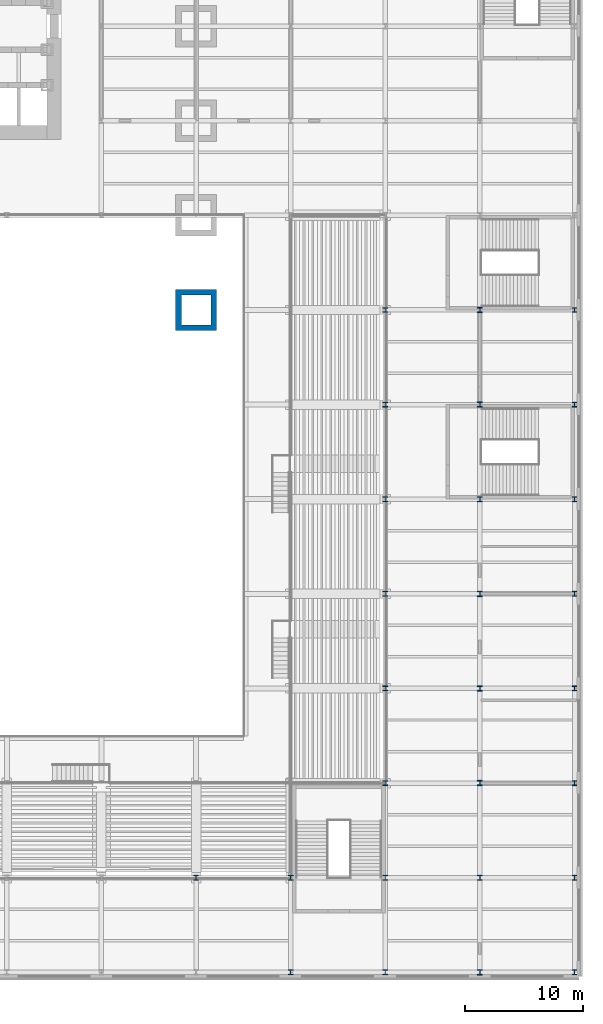
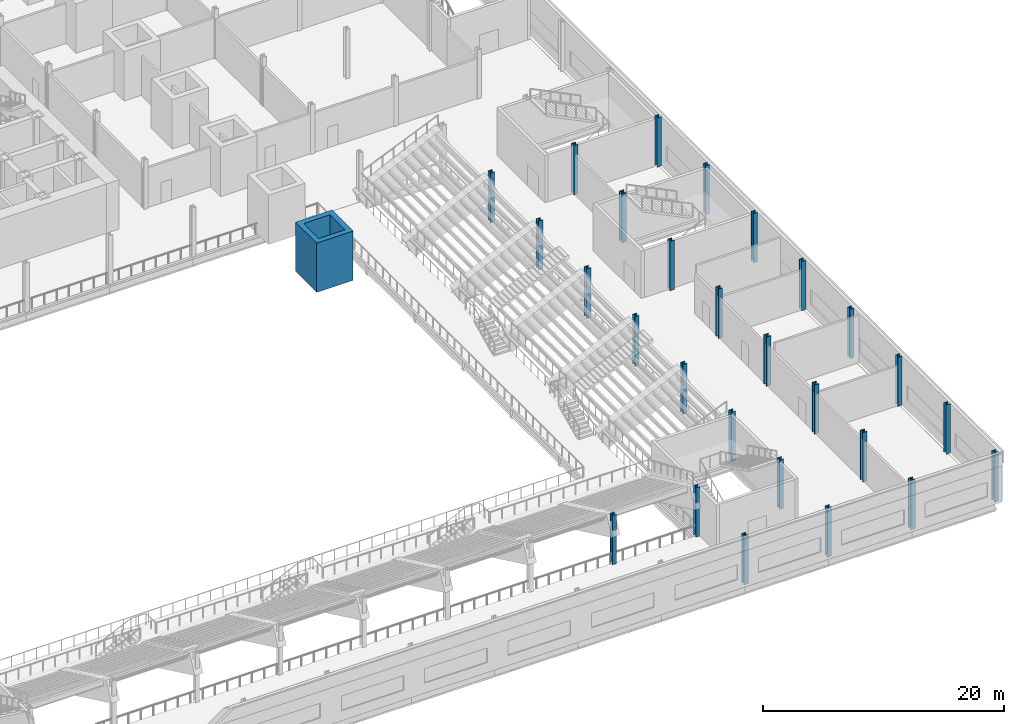
# One storey, part 3 of 27: 28 columns.
"""IFC4 building model written with IfcOpenShell, lengths in metres."""

from ifc_helpers import new_model, si_unit, direction, frame, origin, origin_2d, place, context, subcontext, project, spatial, hollow_rectangle, i_section, extrude, material, material_profile, profile_set, type_object, element, save


model = new_model("IFC4")

# Units and contexts
model_context = context("Model", 3, precision=1e-05, world=origin(), true_north=direction((0.0, 1.0)))
body_context = subcontext(model_context, "Body", "Model", "MODEL_VIEW")
ifc_project = project(units=[si_unit("LENGTHUNIT", "METRE"), si_unit("AREAUNIT", "SQUARE_METRE"), si_unit("VOLUMEUNIT", "CUBIC_METRE"), si_unit("PLANEANGLEUNIT", "RADIAN"), si_unit("MASSUNIT", "GRAM", prefix="KILO")], contexts=[model_context])

# Site, building, storey
site_placement = place(None, origin())
site = spatial("IfcSite", under=ifc_project, at=site_placement, CompositionType="ELEMENT")
building_placement = place(site_placement, origin())
building = spatial("IfcBuilding", under=site, at=building_placement, Name="Daluyong Arena Tower", CompositionType="ELEMENT")
storey_placement = place(building_placement, frame((0.0, 0.0, 14.89990234375)))
storey = spatial("IfcBuildingStorey", under=building, at=storey_placement, Name="L03", CompositionType="ELEMENT", Elevation=14.89990234375)

# Columns
ifc_material_1 = material(Name="Steel ASTM A913 Grade 65", Category="steel")
ifc_material_profile_1 = material_profile(ifc_material_1, i_section(OverallWidth=0.419189453125, OverallDepth=0.45458984375, WebThickness=0.042236328125, FlangeThickness=0.067626953125, at=origin_2d()))
ifc_profile_set_1 = profile_set([ifc_material_profile_1], Name="Steel ASTM A913 Grade 65")
column_type_1 = type_object("IfcColumnType", Name="Arena roof column W14X370", PredefinedType="COLUMN", material=ifc_profile_set_1)
for number, where, z_axis, x_axis, name in (
    (1, (104.0, 0.0, 0.0), (0.0, 0.0, 1.0), (1.0, 0.0, 0.0), "arena roof column AC1"),
    (2, (104.0, 8.0, 0.0), (0.0, 0.0, 1.0), (1.0, 0.0, 0.0), "arena roof column AC1"),
    (3, (104.0, 16.0, 0.0), (0.0, 0.0, 1.0), (1.0, 0.0, 0.0), "arena roof column AC1"),
    (4, (104.0, 24.0, 0.0), (0.0, 0.0, 1.0), (1.0, 0.0, 0.0), "arena roof column AC1"),
    (5, (104.0, 32.0, 0.0), (0.0, 0.0, 1.0), (1.0, 0.0, 0.0), "arena roof column AC1"),
    (6, (104.0, 40.0, 0.0), (0.0, 0.0, 1.0), (1.0, 0.0, 0.0), "arena roof column AC1"),
    (7, (104.0, 48.0, 0.0), (0.0, 0.0, 1.0), (1.0, 0.0, 0.0), "arena roof column AC1"),
    (8, (104.0, 56.0, 0.0), (0.0, 0.0, 1.0), (1.0, 0.0, 0.0), "arena roof column AC1"),
):
    element("IfcColumn", number, at=place(storey_placement, frame(where, z_axis=z_axis, x_axis=x_axis)), inside=storey, type_object=column_type_1, Name=name, PredefinedType="COLUMN", context=body_context, shape_type="SweptSolid", body=[
        extrude(i_section(OverallWidth=0.419189453125, OverallDepth=0.45458984375, WebThickness=0.042236328125, FlangeThickness=0.067626953125, at=origin_2d()), origin(), (0.0, 0.0, 1.0), 5.0),
    ])
ifc_material_2 = material(Name="Steel ASTM A992 Grade 50", Category="steel")
ifc_material_profile_2 = material_profile(ifc_material_2, i_section(OverallWidth=0.406494140625, OverallDepth=0.41650390625, WebThickness=0.030029296875, FlangeThickness=0.048095703125, at=origin_2d()))
ifc_profile_set_2 = profile_set([ifc_material_profile_2], Name="Steel ASTM A992 Grade 50")
column_type_2 = type_object("IfcColumnType", Name="Podium column W14X257", PredefinedType="COLUMN", material=ifc_profile_set_2)
for number, where, z_axis, x_axis, name in (
    (9, (80.0, 8.0, 0.0), (0.0, 0.0, 1.0), (1.0, 0.0, 0.0), "podium column PC2"),
    (10, (88.0, 0.0, 0.0), (0.0, 0.0, 1.0), (1.0, 0.0, 0.0), "podium column PC2"),
    (11, (88.0, 8.0, 0.0), (0.0, 0.0, 1.0), (1.0, 0.0, 0.0), "podium column PC2"),
    (12, (96.0, 0.0, 0.0), (0.0, 0.0, 1.0), (1.0, 0.0, 0.0), "podium column PC2"),
    (13, (96.0, 8.0, 0.0), (0.0, 0.0, 1.0), (1.0, 0.0, 0.0), "podium column PC2"),
    (14, (96.0, 16.0, 0.0), (0.0, 0.0, 1.0), (1.0, 0.0, 0.0), "podium column PC2"),
    (15, (96.0, 24.0, 0.0), (0.0, 0.0, 1.0), (1.0, 0.0, 0.0), "podium column PC2"),
    (16, (96.0, 32.0, 0.0), (0.0, 0.0, 1.0), (1.0, 0.0, 0.0), "podium column PC2"),
    (17, (96.0, 40.0, 0.0), (0.0, 0.0, 1.0), (1.0, 0.0, 0.0), "podium column PC2"),
    (18, (96.0, 48.0, 0.0), (0.0, 0.0, 1.0), (1.0, 0.0, 0.0), "podium column PC2"),
    (19, (96.0, 56.0, 0.0), (0.0, 0.0, 1.0), (1.0, 0.0, 0.0), "podium column PC2"),
    (20, (112.0, 0.0, 0.0), (0.0, 0.0, 1.0), (1.0, 0.0, 0.0), "podium column PC2"),
    (21, (112.0, 8.0, 0.0), (0.0, 0.0, 1.0), (1.0, 0.0, 0.0), "podium column PC2"),
    (22, (112.0, 16.0, 0.0), (0.0, 0.0, 1.0), (1.0, 0.0, 0.0), "podium column PC2"),
    (23, (112.0, 24.0, 0.0), (0.0, 0.0, 1.0), (1.0, 0.0, 0.0), "podium column PC2"),
    (24, (112.0, 32.0, 0.0), (0.0, 0.0, 1.0), (1.0, 0.0, 0.0), "podium column PC2"),
    (25, (112.0, 40.0, 0.0), (0.0, 0.0, 1.0), (1.0, 0.0, 0.0), "podium column PC2"),
    (26, (112.0, 48.0, 0.0), (0.0, 0.0, 1.0), (1.0, 0.0, 0.0), "podium column PC2"),
    (27, (112.0, 56.0, 0.0), (0.0, 0.0, 1.0), (1.0, 0.0, 0.0), "podium column PC2"),
):
    element("IfcColumn", number, at=place(storey_placement, frame(where, z_axis=z_axis, x_axis=x_axis)), inside=storey, type_object=column_type_2, Name=name, PredefinedType="COLUMN", context=body_context, shape_type="SweptSolid", body=[
        extrude(i_section(OverallWidth=0.406494140625, OverallDepth=0.41650390625, WebThickness=0.030029296875, FlangeThickness=0.048095703125, at=origin_2d()), origin(), (0.0, 0.0, 1.0), 5.0),
    ])
ifc_material_3 = material(Name="Steel ASTM A36", Category="steel")
ifc_material_profile_3 = material_profile(ifc_material_3, hollow_rectangle(XDim=3.5, YDim=3.5, WallThickness=0.5, at=origin_2d()))
ifc_profile_set_3 = profile_set([ifc_material_profile_3], Name="Steel ASTM A36")
column_type_3 = type_object("IfcColumnType", Name="Podium megacolumn BX3500X500", PredefinedType="COLUMN", material=ifc_profile_set_3)
column_placement = place(storey_placement, frame((80.0, 56.0, 0.0), z_axis=(0.0, 0.0, 1.0), x_axis=(1.0, 0.0, 0.0)))
element("IfcColumn", 28, at=column_placement, inside=storey, type_object=column_type_3, Name="podium megacolumn MC1", PredefinedType="COLUMN", context=body_context, shape_type="SweptSolid", body=[
    extrude(hollow_rectangle(XDim=3.5, YDim=3.5, WallThickness=0.5, at=origin_2d()), origin(), (0.0, 0.0, 1.0), 5.0),
])

save(model, "model.ifc")
